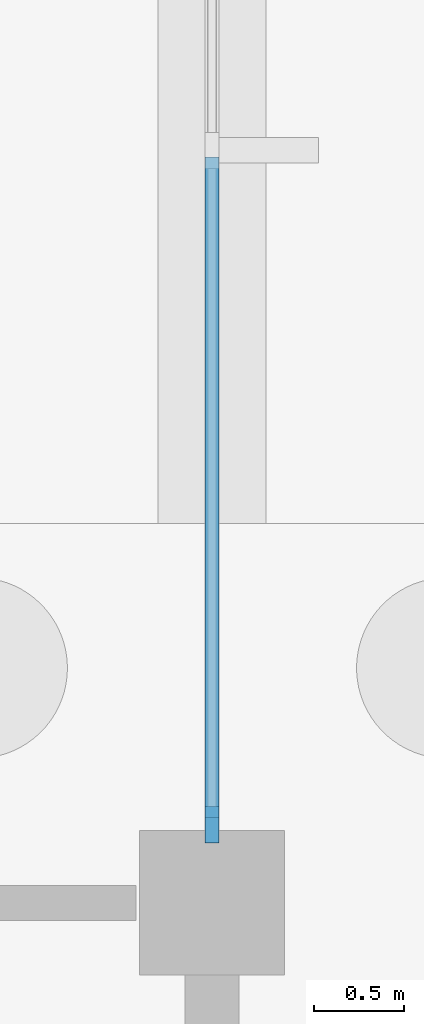
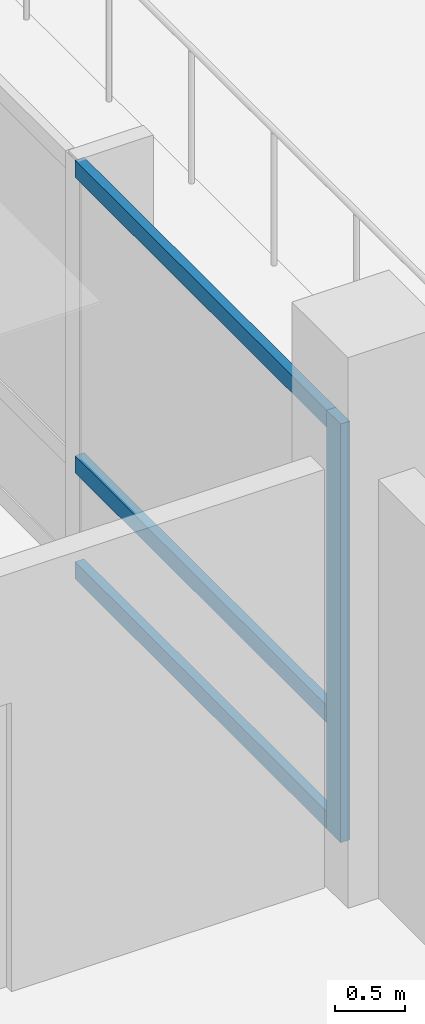
# One storey, part 30 of 72: 4 members, 1 element without a shape of its own.
"""IFC4 building model written with IfcOpenShell, lengths in metres."""

import ifcopenshell
import ifcopenshell.guid

model = None  # the IFC model being written
_history = None  # IfcOwnerHistory: only IFC2X3 demands one
_inside = {}  # id of a spatial element -> (the spatial element, [elements in it])
_under = {}  # id of a project, library or spatial element -> (it, [spatial elements below it])
_declared = {}  # id of a project -> (the project, [libraries it declares])
_typed = {}  # id of a type object -> (the type object, [elements of that type])
_made_of = {}  # id of a material, layer set ... -> (it, [elements and type objects made of it])


def new_model(schema):
    """Start an empty IFC model of exactly this schema.

    Asked for "IFC4X3", IfcOpenShell would pick the latest addendum, in which some entities
    have other attributes; the version numbers below select the first issue.
    IFC2X3 requires an IfcOwnerHistory on every rooted entity: one is made here for all.
    """
    global model, _history
    if schema == "IFC4X3":
        model = ifcopenshell.file(schema_version=(4, 3, 0, 0))
    else:
        model = ifcopenshell.file(schema=schema)
    _inside.clear()
    _under.clear()
    _declared.clear()
    _typed.clear()
    _made_of.clear()
    _history = None
    if model.schema == "IFC2X3":
        org = make("IfcOrganization", Name="unknown")
        user = make(
            "IfcPersonAndOrganization",
            ThePerson=make("IfcPerson", FamilyName="unknown"),
            TheOrganization=org,
        )
        app = make(
            "IfcApplication",
            ApplicationDeveloper=org,
            Version="unknown",
            ApplicationFullName="unknown",
            ApplicationIdentifier="unknown",
        )
        _history = make(
            "IfcOwnerHistory",
            OwningUser=user,
            OwningApplication=app,
            ChangeAction="ADDED",
            CreationDate=0,
        )
    return model


def make(cls, **values):
    """One entity of the class cls with the attributes given. An attribute that is None is left unset."""
    return model.create_entity(
        cls, **{name: value for name, value in values.items() if value is not None}
    )


def rooted(cls, **values):
    """An entity with a GlobalId (a new one), such as an element, a storey or a relation."""
    return make(cls, GlobalId=ifcopenshell.guid.new(), OwnerHistory=_history, **values)


def si_unit(unit_type, name, prefix=None):
    """IfcSIUnit, for example si_unit("LENGTHUNIT", "METRE", prefix="MILLI")."""
    return make("IfcSIUnit", UnitType=unit_type, Prefix=prefix, Name=name)


def assignment(units):
    """IfcUnitAssignment: the units of a project."""
    return None if units is None else make("IfcUnitAssignment", Units=units)


def point(xyz):
    """IfcCartesianPoint."""
    return None if xyz is None else make("IfcCartesianPoint", Coordinates=xyz)


def direction(xyz):
    """IfcDirection."""
    return None if xyz is None else make("IfcDirection", DirectionRatios=xyz)


def frame(location, z_axis=None, x_axis=None):
    """IfcAxis2Placement3D, a coordinate frame: its origin and axes. An axis left out is left unset."""
    return make(
        "IfcAxis2Placement3D",
        Location=point(location),
        Axis=direction(z_axis),
        RefDirection=direction(x_axis),
    )


def frame_2d(location, x_axis=None):
    """IfcAxis2Placement2D, a coordinate frame in the plane: its origin and x axis."""
    return make(
        "IfcAxis2Placement2D", Location=point(location), RefDirection=direction(x_axis)
    )


def origin():
    """The frame at (0, 0, 0) with its axes left unset."""
    return frame((0.0, 0.0, 0.0))


def origin_2d():
    """The frame at (0, 0) in the plane with its x axis left unset."""
    return frame_2d((0.0, 0.0))


def place(relative_to, where):
    """IfcLocalPlacement: puts the frame where relative to a parent placement (None: the world)."""
    return make(
        "IfcLocalPlacement", PlacementRelTo=relative_to, RelativePlacement=where
    )


def context(
    kind, dimensions, precision=None, world=None, true_north=None, identifier=None
):
    """IfcGeometricRepresentationContext, for example the 3D "Model" context."""
    return make(
        "IfcGeometricRepresentationContext",
        ContextIdentifier=identifier,
        ContextType=kind,
        CoordinateSpaceDimension=dimensions,
        Precision=precision,
        WorldCoordinateSystem=world,
        TrueNorth=true_north,
    )


def subcontext(parent, identifier, kind, view, scale=None):
    """IfcGeometricRepresentationSubContext, for example "Body" below "Model"."""
    return make(
        "IfcGeometricRepresentationSubContext",
        ContextIdentifier=identifier,
        ContextType=kind,
        ParentContext=parent,
        TargetScale=scale,
        TargetView=view,
    )


def project(units=None, contexts=None):
    """IfcProject with its units and contexts."""
    return rooted(
        "IfcProject",
        Name="project",
        RepresentationContexts=contexts,
        UnitsInContext=assignment(units),
    )


def spatial(cls, under=None, at=None, **own):
    """A site, building, storey or space (cls), placed at a placement, below another one or the project."""
    s = rooted(cls, ObjectPlacement=at, **own)
    if under is not None:
        _under.setdefault(under.id(), (under, []))[1].append(s)
    return s


def profile(cls, at=None, kind="AREA", **sizes):
    """A parametric profile (cls). Its sizes go by their IFC names, for example OverallWidth=200.0."""
    return make(cls, ProfileType=kind, Position=at, **sizes)


def rectangle(**sizes):
    """IfcRectangleProfileDef."""
    return profile("IfcRectangleProfileDef", **sizes)


def extrude(swept, where, along, depth):
    """IfcExtrudedAreaSolid: the profile swept, set in the frame where, extruded along a direction by depth."""
    return make(
        "IfcExtrudedAreaSolid",
        SweptArea=swept,
        Position=where,
        ExtrudedDirection=direction(along),
        Depth=depth,
    )


def shape(context_of_items, identifier, shape_type, items):
    """IfcShapeRepresentation: the items that make up one representation, for example the "Body"."""
    return make(
        "IfcShapeRepresentation",
        ContextOfItems=context_of_items,
        RepresentationIdentifier=identifier,
        RepresentationType=shape_type,
        Items=items,
    )


def material(Name=None, Category=None):
    """IfcMaterial."""
    return make("IfcMaterial", Name=Name, Category=Category)


def material_profile(
    of_material, cross_section, Name=None, Category=None, Priority=None
):
    """IfcMaterialProfile: a cross section and its material."""
    return make(
        "IfcMaterialProfile",
        Name=Name,
        Material=of_material,
        Profile=cross_section,
        Priority=Priority,
        Category=Category,
    )


def profile_set(profiles, Name=None, composite=None):
    """IfcMaterialProfileSet."""
    return make(
        "IfcMaterialProfileSet",
        Name=Name,
        MaterialProfiles=profiles,
        CompositeProfile=composite,
    )


def made_of(thing, what):
    """Note that an element or type object is made of a material, layer set ...; save() writes the relation."""
    if what is not None:
        _made_of.setdefault(what.id(), (what, []))[1].append(thing)
    return thing


def type_object(cls, material=None, **own):
    """A type object (cls), such as IfcWallType, which elements share."""
    return made_of(rooted(cls, **own), material)


def element(
    cls,
    number,
    at=None,
    inside=None,
    cuts=None,
    type_object=None,
    material=None,
    context=None,
    identifier="Body",
    shape_type=None,
    held_by="IfcProductDefinitionShape",
    body=None,
    shapes=None,
    **own,
):
    """One element of the class cls, such as IfcWall. Its Tag is "e" and its number.

    at: its placement. inside: the storey or other place that contains it. cuts: it is an
    opening in that element (IfcRelVoidsElement). A single representation is given by context,
    identifier, shape_type and body (its items); several are given by shapes. held_by: the class
    of the entity that holds the representations. save() writes the other relations.
    """
    e = rooted(cls, Tag="e%d" % number, ObjectPlacement=at, **own)
    if body is not None:
        shapes = [shape(context, identifier, shape_type, body)]
    if shapes is not None:
        e.Representation = make(held_by, Representations=shapes)
    if inside is not None:
        _inside.setdefault(inside.id(), (inside, []))[1].append(e)
    if cuts is not None:
        rooted(
            "IfcRelVoidsElement", RelatingBuildingElement=cuts, RelatedOpeningElement=e
        )
    if type_object is not None:
        _typed.setdefault(type_object.id(), (type_object, []))[1].append(e)
    return made_of(e, material)


def aggregate(whole, parts):
    """IfcRelAggregates: a whole, such as a stair, and the parts it consists of."""
    return rooted("IfcRelAggregates", RelatingObject=whole, RelatedObjects=parts)


def save(model, path):
    """Write the relations noted so far, then the file.

    IfcRelAggregates (storeys below a building ...), IfcRelContainedInSpatialStructure (elements
    in a storey), IfcRelDefinesByType, IfcRelAssociatesMaterial and IfcRelDeclares: one each for
    every whole, place, type object, material and project.
    """
    for whole, parts in _under.values():
        aggregate(whole, parts)
    for where, things in _inside.values():
        rooted(
            "IfcRelContainedInSpatialStructure",
            RelatedElements=things,
            RelatingStructure=where,
        )
    for kind, things in _typed.values():
        rooted("IfcRelDefinesByType", RelatedObjects=things, RelatingType=kind)
    for what, things in _made_of.values():
        rooted("IfcRelAssociatesMaterial", RelatedObjects=things, RelatingMaterial=what)
    for by, libraries in _declared.values():
        rooted("IfcRelDeclares", RelatingContext=by, RelatedDefinitions=libraries)
    model.write(path)


model = new_model("IFC4")

# Units and contexts
model_context = context("Model", 3, precision=1e-05, world=origin(), true_north=direction((0.0, 1.0)))
body_context = subcontext(model_context, "Body", "Model", "MODEL_VIEW")
ifc_project = project(units=[si_unit("LENGTHUNIT", "METRE"), si_unit("AREAUNIT", "SQUARE_METRE"), si_unit("VOLUMEUNIT", "CUBIC_METRE"), si_unit("PLANEANGLEUNIT", "RADIAN"), si_unit("MASSUNIT", "GRAM", prefix="KILO"), si_unit("THERMODYNAMICTEMPERATUREUNIT", "KELVIN"), si_unit("POWERUNIT", "WATT")], contexts=[model_context])

# Site, building, storey
site_placement = place(None, origin())
site = spatial("IfcSite", under=ifc_project, at=site_placement, CompositionType="ELEMENT")
building_placement = place(site_placement, origin())
building = spatial("IfcBuilding", under=site, at=building_placement, Name="Kronsvod Quay Wholesale Market", CompositionType="ELEMENT")
storey_placement = place(building_placement, origin())
storey = spatial("IfcBuildingStorey", under=building, at=storey_placement, Name="L00", CompositionType="ELEMENT", Elevation=0.0)

# Curtain wall, members
ifc_material_1 = material(Name="Thermally broken aluminium and triple low-E glazing", Category="aluminium")
curtain_wall_type = type_object("IfcCurtainWallType", Name="CW_Flower120x32", PredefinedType="NOTDEFINED", material=ifc_material_1)
curtain_wall_placement = place(storey_placement, origin())
curtain_wall = element("IfcCurtainWall", 1, at=curtain_wall_placement, inside=storey, type_object=curtain_wall_type, Name="CWGY-L00-1920-540", PredefinedType="NOTDEFINED")
ifc_material_2 = material(Name="Anodised aluminium", Category="aluminium")
ifc_material_profile_1 = material_profile(ifc_material_2, rectangle(XDim=0.074951171875, YDim=0.199951171875, at=origin_2d()), Name="ALUM75x200")
ifc_profile_set_1 = profile_set([ifc_material_profile_1], Name="Anodised aluminium")
member_type_1 = type_object("IfcMemberType", Name="Mullion_ALU75x200", PredefinedType="MULLION", material=ifc_profile_set_1)
member_1_placement = place(storey_placement, frame((192.0, 54.4326171875, 0.0), z_axis=(0.0, 0.0, 1.0), x_axis=(1.0, 0.0, 0.0)))
member_1 = element("IfcMember", 2, at=member_1_placement, type_object=member_type_1, Name="CWGY-L00-1920-540-M1", PredefinedType="MULLION", context=body_context, shape_type="SweptSolid", body=[
    extrude(rectangle(XDim=0.074951171875, YDim=0.199951171875, at=origin_2d()), origin(), (0.0, 0.0, 1.0), 3.64990234375),
])
ifc_material_3 = material(Name="Anodised aluminium", Category="aluminium")
ifc_material_profile_2 = material_profile(ifc_material_3, rectangle(XDim=0.074951171875, YDim=0.14990234375, at=origin_2d()), Name="ALUT75x150")
ifc_profile_set_2 = profile_set([ifc_material_profile_2], Name="Anodised aluminium")
member_type_2 = type_object("IfcMemberType", Name="Transom_ALU75x150", PredefinedType="USERDEFINED", material=ifc_profile_set_2)
member_2_placement = place(storey_placement, frame((192.0, 54.469970703125, 0.074951171875), z_axis=(0.0, 1.0, 0.0), x_axis=(-1.0, 0.0, 0.0)))
member_2 = element("IfcMember", 3, at=member_2_placement, type_object=member_type_2, Name="CWGY-L00-1920-540-T1B1", ObjectType="TRANSOM", PredefinedType="USERDEFINED", context=body_context, shape_type="SweptSolid", body=[
    extrude(rectangle(XDim=0.074951171875, YDim=0.14990234375, at=origin_2d()), origin(), (0.0, 0.0, 1.0), 3.657470703125),
])
member_3_placement = place(storey_placement, frame((192.0, 54.469970703125, 1.0), z_axis=(0.0, 1.0, 0.0), x_axis=(-1.0, 0.0, 0.0)))
member_3 = element("IfcMember", 4, at=member_3_placement, type_object=member_type_2, Name="CWGY-L00-1920-540-T2B1", ObjectType="TRANSOM", PredefinedType="USERDEFINED", context=body_context, shape_type="SweptSolid", body=[
    extrude(rectangle(XDim=0.074951171875, YDim=0.14990234375, at=origin_2d()), origin(), (0.0, 0.0, 1.0), 3.657470703125),
])
member_4_placement = place(storey_placement, frame((192.0, 54.469970703125, 3.574951171875), z_axis=(0.0, 1.0, 0.0), x_axis=(-1.0, 0.0, 0.0)))
member_4 = element("IfcMember", 5, at=member_4_placement, type_object=member_type_2, Name="CWGY-L00-1920-540-T3B1", ObjectType="TRANSOM", PredefinedType="USERDEFINED", context=body_context, shape_type="SweptSolid", body=[
    extrude(rectangle(XDim=0.074951171875, YDim=0.14990234375, at=origin_2d()), origin(), (0.0, 0.0, 1.0), 3.657470703125),
])
aggregate(curtain_wall, [member_1, member_2, member_3, member_4])

save(model, "model.ifc")
